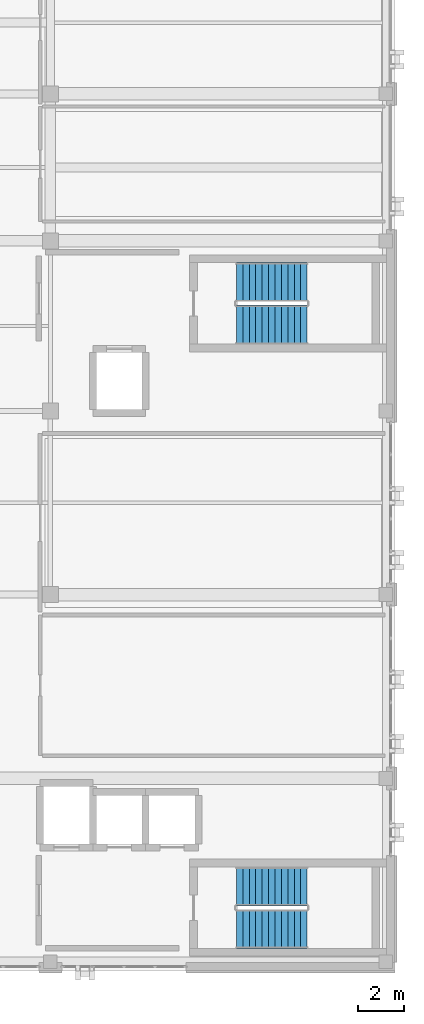
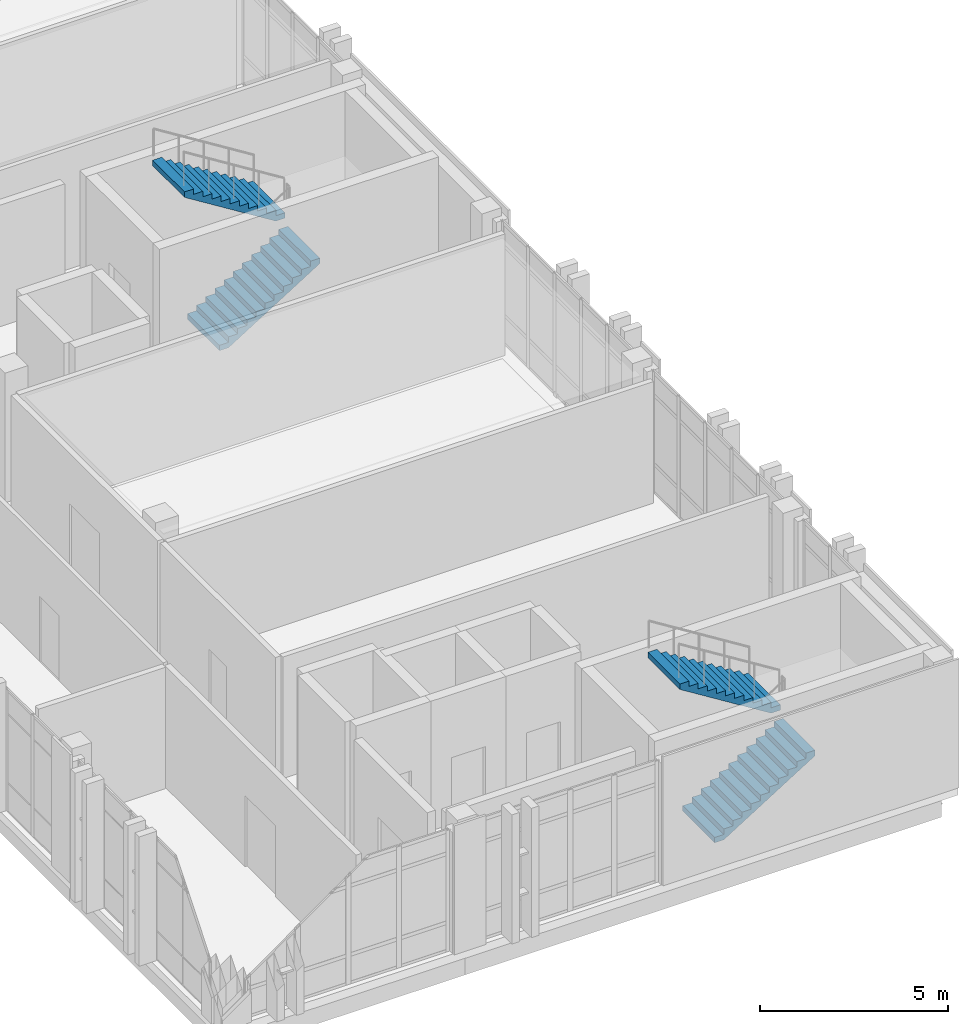
# One storey, part 64 of 77: 4 stair flights, 2 elements without a shape of their own.
"""IFC4 building model written with IfcOpenShell, lengths in metres."""

from ifc_helpers import new_model, si_unit, direction, frame, origin, place, context, subcontext, project, spatial, polyline, outline, extrude, material, type_object, element, aggregate, save


model = new_model("IFC4")

# Units and contexts
model_context = context("Model", 3, precision=1e-05, world=origin(), true_north=direction((0.0, 1.0)))
body_context = subcontext(model_context, "Body", "Model", "MODEL_VIEW")
ifc_project = project(units=[si_unit("LENGTHUNIT", "METRE"), si_unit("AREAUNIT", "SQUARE_METRE"), si_unit("VOLUMEUNIT", "CUBIC_METRE"), si_unit("PLANEANGLEUNIT", "RADIAN"), si_unit("MASSUNIT", "GRAM", prefix="KILO")], contexts=[model_context])

# Site, building, storey
site_placement = place(None, origin())
site = spatial("IfcSite", under=ifc_project, at=site_placement, CompositionType="ELEMENT")
building_placement = place(site_placement, origin())
building = spatial("IfcBuilding", under=site, at=building_placement, Name="Qalavern Law Courts", CompositionType="ELEMENT")
storey_placement = place(building_placement, frame((0.0, 0.0, 27.0)))
storey = spatial("IfcBuildingStorey", under=building, at=storey_placement, Name="L06", CompositionType="ELEMENT", Elevation=27.0)

# Stair, stair flights
ifc_material = material(Name="Concrete C35/45", Category="concrete")
stair_type = type_object("IfcStairType", Name="INT-STAIR-1700", PredefinedType="HALF_TURN_STAIR", material=ifc_material)
stair_1_placement = place(storey_placement, origin())
stair_1 = element("IfcStair", 1, at=stair_1_placement, inside=storey, type_object=stair_type, Name="L06 ST-K1A", PredefinedType="HALF_TURN_STAIR")
stair_flight_type = type_object("IfcStairFlightType", Name="INT-FLIGHT-1700", PredefinedType="STRAIGHT", material=ifc_material)
stair_flight_1_placement = place(storey_placement, frame((99.89990234375, 42.85009765625, 0.0), z_axis=(0.0, 0.0, 1.0), x_axis=(1.0, 0.0, 0.0)))
stair_flight_1 = element("IfcStairFlight", 2, at=stair_flight_1_placement, type_object=stair_flight_type, Name="ST-K1A flight 1", NumberOfRisers=12, NumberOfTreads=11, PredefinedType="STRAIGHT", RiserHeight=0.175, TreadLength=0.28, context=body_context, shape_type="SweptSolid", body=[
    extrude(outline(polyline([(0.0, 0.0), (0.0, 0.175048828125), (0.280029296875, 0.175048828125), (0.280029296875, 0.35009765625), (0.56005859375, 0.35009765625), (0.56005859375, 0.52490234375), (0.840087890625, 0.52490234375), (0.840087890625, 0.699951171875), (1.1201171875, 0.699951171875), (1.1201171875, 0.875), (1.39990234375, 0.875), (1.39990234375, 1.050048828125), (1.679931640625, 1.050048828125), (1.679931640625, 1.22509765625), (1.9599609375, 1.22509765625), (1.9599609375, 1.39990234375), (2.239990234375, 1.39990234375), (2.239990234375, 1.574951171875), (2.52001953125, 1.574951171875), (2.52001953125, 1.75), (2.800048828125, 1.75), (2.800048828125, 1.925048828125), (3.080078125, 1.925048828125), (3.080078125, 2.10009765625), (3.080078125, 1.748291015625), (0.28271484375, 0.0), (0.0, 0.0)])), frame((0.0, 0.85009765625, 0.0), z_axis=(0.0, -1.0, 0.0), x_axis=(1.0, 0.0, 0.0)), (0.0, 0.0, 1.0), 1.699951171875),
])
stair_flight_2_placement = place(storey_placement, frame((102.97998046875, 44.699951171875, 2.10009765625), z_axis=(0.0, 0.0, 1.0), x_axis=(-1.0, 0.0, 0.0)))
stair_flight_2 = element("IfcStairFlight", 3, at=stair_flight_2_placement, type_object=stair_flight_type, Name="ST-K1A flight 2", NumberOfRisers=12, NumberOfTreads=11, PredefinedType="STRAIGHT", RiserHeight=0.175, TreadLength=0.28, context=body_context, shape_type="SweptSolid", body=[
    extrude(outline(polyline([(0.0, 0.0), (0.0, 0.175048828125), (0.280029296875, 0.175048828125), (0.280029296875, 0.35009765625), (0.56005859375, 0.35009765625), (0.56005859375, 0.52490234375), (0.840087890625, 0.52490234375), (0.840087890625, 0.699951171875), (1.1201171875, 0.699951171875), (1.1201171875, 0.875), (1.39990234375, 0.875), (1.39990234375, 1.050048828125), (1.679931640625, 1.050048828125), (1.679931640625, 1.22509765625), (1.9599609375, 1.22509765625), (1.9599609375, 1.39990234375), (2.239990234375, 1.39990234375), (2.239990234375, 1.574951171875), (2.52001953125, 1.574951171875), (2.52001953125, 1.75), (2.800048828125, 1.75), (2.800048828125, 1.925048828125), (3.080078125, 1.925048828125), (3.080078125, 2.10009765625), (3.080078125, 1.748291015625), (0.28271484375, 0.0), (0.0, 0.0)])), frame((0.0, 0.85009765625, 0.0), z_axis=(0.0, -1.0, 0.0), x_axis=(1.0, 0.0, 0.0)), (0.0, 0.0, 1.0), 1.699951171875),
])
aggregate(stair_1, [stair_flight_1, stair_flight_2])

stair_2_placement = place(storey_placement, origin())
stair_2 = element("IfcStair", 4, at=stair_2_placement, inside=storey, type_object=stair_type, Name="L06 ST-K1B", PredefinedType="HALF_TURN_STAIR")
stair_flight_3_placement = place(storey_placement, frame((99.89990234375, 69.14990234375, 0.0), z_axis=(0.0, 0.0, 1.0), x_axis=(1.0, 0.0, 0.0)))
stair_flight_3 = element("IfcStairFlight", 5, at=stair_flight_3_placement, type_object=stair_flight_type, Name="ST-K1B flight 1", NumberOfRisers=12, NumberOfTreads=11, PredefinedType="STRAIGHT", RiserHeight=0.175, TreadLength=0.28, context=body_context, shape_type="SweptSolid", body=[
    extrude(outline(polyline([(0.0, 0.0), (0.0, 0.175048828125), (0.280029296875, 0.175048828125), (0.280029296875, 0.35009765625), (0.56005859375, 0.35009765625), (0.56005859375, 0.52490234375), (0.840087890625, 0.52490234375), (0.840087890625, 0.699951171875), (1.1201171875, 0.699951171875), (1.1201171875, 0.875), (1.39990234375, 0.875), (1.39990234375, 1.050048828125), (1.679931640625, 1.050048828125), (1.679931640625, 1.22509765625), (1.9599609375, 1.22509765625), (1.9599609375, 1.39990234375), (2.239990234375, 1.39990234375), (2.239990234375, 1.574951171875), (2.52001953125, 1.574951171875), (2.52001953125, 1.75), (2.800048828125, 1.75), (2.800048828125, 1.925048828125), (3.080078125, 1.925048828125), (3.080078125, 2.10009765625), (3.080078125, 1.748291015625), (0.28271484375, 0.0), (0.0, 0.0)])), frame((0.0, 0.85009765625, 0.0), z_axis=(0.0, -1.0, 0.0), x_axis=(1.0, 0.0, 0.0)), (0.0, 0.0, 1.0), 1.699951171875),
])
stair_flight_4_placement = place(storey_placement, frame((102.97998046875, 71.0, 2.10009765625), z_axis=(0.0, 0.0, 1.0), x_axis=(-1.0, 0.0, 0.0)))
stair_flight_4 = element("IfcStairFlight", 6, at=stair_flight_4_placement, type_object=stair_flight_type, Name="ST-K1B flight 2", NumberOfRisers=12, NumberOfTreads=11, PredefinedType="STRAIGHT", RiserHeight=0.175, TreadLength=0.28, context=body_context, shape_type="SweptSolid", body=[
    extrude(outline(polyline([(0.0, 0.0), (0.0, 0.175048828125), (0.280029296875, 0.175048828125), (0.280029296875, 0.35009765625), (0.56005859375, 0.35009765625), (0.56005859375, 0.52490234375), (0.840087890625, 0.52490234375), (0.840087890625, 0.699951171875), (1.1201171875, 0.699951171875), (1.1201171875, 0.875), (1.39990234375, 0.875), (1.39990234375, 1.050048828125), (1.679931640625, 1.050048828125), (1.679931640625, 1.22509765625), (1.9599609375, 1.22509765625), (1.9599609375, 1.39990234375), (2.239990234375, 1.39990234375), (2.239990234375, 1.574951171875), (2.52001953125, 1.574951171875), (2.52001953125, 1.75), (2.800048828125, 1.75), (2.800048828125, 1.925048828125), (3.080078125, 1.925048828125), (3.080078125, 2.10009765625), (3.080078125, 1.748291015625), (0.28271484375, 0.0), (0.0, 0.0)])), frame((0.0, 0.85009765625, 0.0), z_axis=(0.0, -1.0, 0.0), x_axis=(1.0, 0.0, 0.0)), (0.0, 0.0, 1.0), 1.699951171875),
])
aggregate(stair_2, [stair_flight_3, stair_flight_4])

save(model, "model.ifc")
